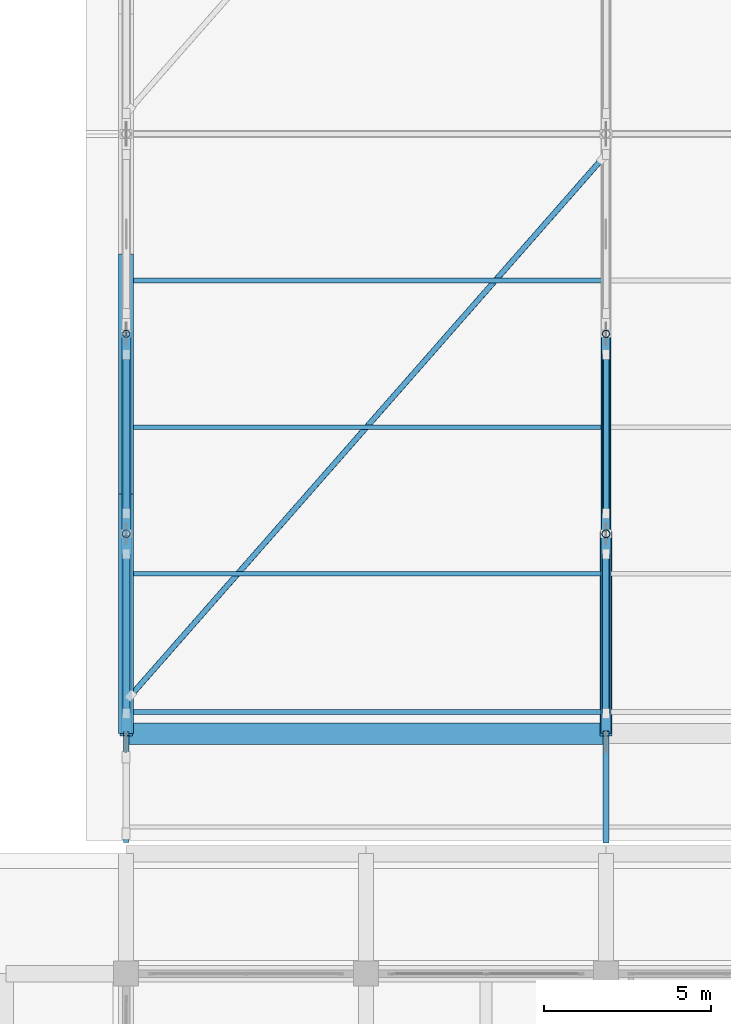
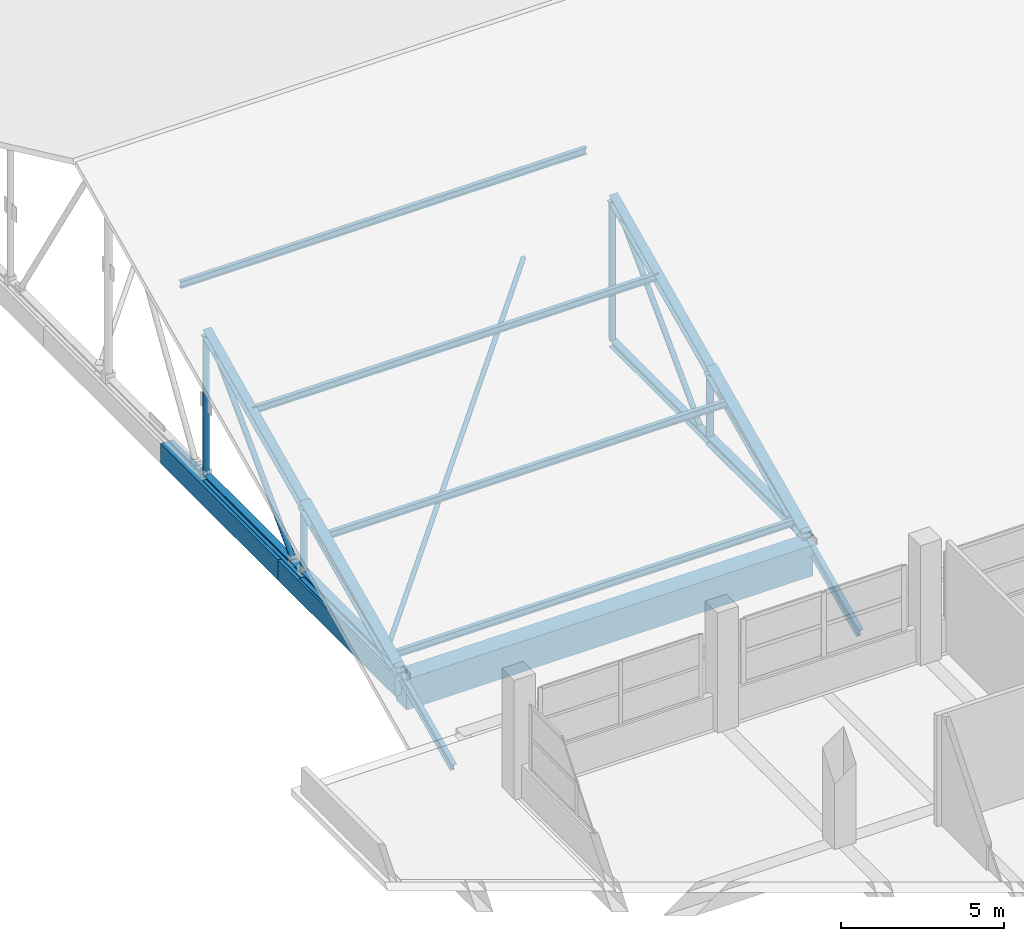
# One storey, part 63 of 141: 23 members, 3 beams, 2 elements without a shape of their own.
"""IFC4 building model written with IfcOpenShell, lengths in metres."""

from ifc_helpers import new_model, si_unit, direction, frame, origin, origin_2d, place, context, subcontext, project, spatial, rectangle, hollow_circle, i_section, extrude, material, material_profile, profile_set, type_object, element, aggregate, save


model = new_model("IFC4")

# Units and contexts
model_context = context("Model", 3, precision=1e-05, world=origin(), true_north=direction((0.0, 1.0)))
body_context = subcontext(model_context, "Body", "Model", "MODEL_VIEW")
ifc_project = project(units=[si_unit("LENGTHUNIT", "METRE"), si_unit("AREAUNIT", "SQUARE_METRE"), si_unit("VOLUMEUNIT", "CUBIC_METRE"), si_unit("PLANEANGLEUNIT", "RADIAN"), si_unit("MASSUNIT", "GRAM", prefix="KILO")], contexts=[model_context])

# Site, building, storey
site_placement = place(None, origin())
site = spatial("IfcSite", under=ifc_project, at=site_placement, CompositionType="ELEMENT")
building_placement = place(site_placement, origin())
building = spatial("IfcBuilding", under=site, at=building_placement, Name="Seraya Terrace Polytechnic", CompositionType="ELEMENT")
storey_placement = place(building_placement, frame((0.0, 0.0, 14.39990234375)))
storey = spatial("IfcBuildingStorey", under=building, at=storey_placement, Name="L03", CompositionType="ELEMENT", Elevation=14.39990234375)

# Assembly, member
ifc_material_1 = material(Name="Steel S355J2", Category="steel")
element_assembly_type = type_object("IfcElementAssemblyType", Name="TR-A1", PredefinedType="TRUSS", material=ifc_material_1)
assembly_1_placement = place(storey_placement, origin())
assembly_1 = element("IfcElementAssembly", 1, at=assembly_1_placement, inside=storey, type_object=element_assembly_type, Name="Pitched steel roof truss TR-01", AssemblyPlace="SITE", PredefinedType="TRUSS")
ifc_material_profile_1 = material_profile(ifc_material_1, i_section(OverallWidth=0.304931640625, OverallDepth=0.304931640625, WebThickness=0.014892578125, FlangeThickness=0.023681640625, at=origin_2d()), Name="UKC 305x305x14.9x23.8")
ifc_profile_set_1 = profile_set([ifc_material_profile_1], Name="Steel S355J2")
member_type_1 = type_object("IfcMemberType", Name="BC-01", PredefinedType="CHORD", material=ifc_profile_set_1)
member_1_placement = place(storey_placement, frame((14.39990234375, 79.199951171875, 0.150146484375), z_axis=(0.0, 1.0, 0.0), x_axis=(-1.0, 0.0, 0.0)))
member_1 = element("IfcMember", 2, at=member_1_placement, type_object=member_type_1, Name="TR-01 bottom chord 1", PredefinedType="CHORD", context=body_context, shape_type="SweptSolid", body=[
    extrude(i_section(OverallWidth=0.304931640625, OverallDepth=0.304931640625, WebThickness=0.014892578125, FlangeThickness=0.023681640625, at=origin_2d()), origin(), (0.0, 0.0, 1.0), 6.0),
])

assembly_2_placement = place(storey_placement, origin())
assembly_2 = element("IfcElementAssembly", 3, at=assembly_2_placement, inside=storey, type_object=element_assembly_type, Name="Pitched steel roof truss TR-02", AssemblyPlace="SITE", PredefinedType="TRUSS")
member_2_placement = place(storey_placement, frame((28.800048828125, 79.199951171875, 0.150146484375), z_axis=(0.0, 1.0, 0.0), x_axis=(-1.0, 0.0, 0.0)))
member_2 = element("IfcMember", 4, at=member_2_placement, type_object=member_type_1, Name="TR-02 bottom chord 1", PredefinedType="CHORD", context=body_context, shape_type="SweptSolid", body=[
    extrude(i_section(OverallWidth=0.304931640625, OverallDepth=0.304931640625, WebThickness=0.014892578125, FlangeThickness=0.023681640625, at=origin_2d()), origin(), (0.0, 0.0, 1.0), 6.0),
])

# Member
ifc_material_profile_2 = material_profile(ifc_material_1, i_section(OverallWidth=0.25390625, OverallDepth=0.25390625, WebThickness=0.0107421875, FlangeThickness=0.017333984375, at=origin_2d()), Name="UKC 254x254x10.7x17.3")
ifc_profile_set_2 = profile_set([ifc_material_profile_2], Name="Steel S355J2")
member_type_2 = type_object("IfcMemberType", Name="BC-02", PredefinedType="CHORD", material=ifc_profile_set_2)
member_3_placement = place(storey_placement, frame((14.39990234375, 85.199951171875, 0.150146484375), z_axis=(0.0, 1.0, 0.0), x_axis=(-1.0, 0.0, 0.0)))
member_3 = element("IfcMember", 5, at=member_3_placement, type_object=member_type_2, Name="TR-01 bottom chord 2", PredefinedType="CHORD", context=body_context, shape_type="SweptSolid", body=[
    extrude(i_section(OverallWidth=0.25390625, OverallDepth=0.25390625, WebThickness=0.0107421875, FlangeThickness=0.017333984375, at=origin_2d()), origin(), (0.0, 0.0, 1.0), 6.0),
])

member_4_placement = place(storey_placement, frame((28.800048828125, 85.199951171875, 0.150146484375), z_axis=(0.0, 1.0, 0.0), x_axis=(-1.0, 0.0, 0.0)))
member_4 = element("IfcMember", 6, at=member_4_placement, type_object=member_type_2, Name="TR-02 bottom chord 2", PredefinedType="CHORD", context=body_context, shape_type="SweptSolid", body=[
    extrude(i_section(OverallWidth=0.25390625, OverallDepth=0.25390625, WebThickness=0.0107421875, FlangeThickness=0.017333984375, at=origin_2d()), origin(), (0.0, 0.0, 1.0), 6.0),
])

# Beams
ifc_material_2 = material(Name="Concrete C40/50", Category="concrete")
ifc_material_profile_3 = material_profile(ifc_material_2, rectangle(XDim=0.64990234375, YDim=1.14990234375, at=origin_2d()), Name="RC 650x1150")
ifc_profile_set_3 = profile_set([ifc_material_profile_3], Name="Concrete C40/50")
beam_type_1 = type_object("IfcBeamType", Name="BG-02", PredefinedType="USERDEFINED", material=ifc_profile_set_3)
beam_1_placement = place(storey_placement, frame((14.39990234375, 79.199951171875, -0.574951171875), z_axis=(1.0, 0.0, 0.0), x_axis=(0.0, 1.0, 0.0)))
element("IfcBeam", 7, at=beam_1_placement, inside=storey, type_object=beam_type_1, Name="Beam BG-02 L03 X (14.4..28.8, 79.2)", ObjectType="GIRDER", PredefinedType="USERDEFINED", context=body_context, shape_type="SweptSolid", body=[
    extrude(rectangle(XDim=0.64990234375, YDim=1.14990234375, at=origin_2d()), origin(), (0.0, 0.0, 1.0), 14.400146484375),
])
ifc_material_profile_4 = material_profile(ifc_material_2, rectangle(XDim=0.449951171875, YDim=0.75, at=origin_2d()), Name="RC 450x750")
ifc_profile_set_4 = profile_set([ifc_material_profile_4], Name="Concrete C40/50")
beam_type_2 = type_object("IfcBeamType", Name="BM-08", PredefinedType="BEAM", material=ifc_profile_set_4)
beam_2_placement = place(storey_placement, frame((14.39990234375, 79.199951171875, -0.375), z_axis=(0.0, 1.0, 0.0), x_axis=(-1.0, 0.0, 0.0)))
element("IfcBeam", 8, at=beam_2_placement, inside=storey, type_object=beam_type_2, Name="Beam BM-08 L03 Y (14.4, 79.2..86.4)", PredefinedType="BEAM", context=body_context, shape_type="SweptSolid", body=[
    extrude(rectangle(XDim=0.449951171875, YDim=0.75, at=origin_2d()), origin(), (0.0, 0.0, 1.0), 7.199951171875),
])
beam_3_placement = place(storey_placement, frame((14.39990234375, 86.39990234375, -0.375), z_axis=(0.0, 1.0, 0.0), x_axis=(-1.0, 0.0, 0.0)))
element("IfcBeam", 9, at=beam_3_placement, inside=storey, type_object=beam_type_2, Name="Beam BM-08 L03 Y (14.4, 86.4..93.6)", PredefinedType="BEAM", context=body_context, shape_type="SweptSolid", body=[
    extrude(rectangle(XDim=0.449951171875, YDim=0.75, at=origin_2d()), origin(), (0.0, 0.0, 1.0), 7.2001953125),
])

# Member
ifc_material_profile_5 = material_profile(ifc_material_1, hollow_circle(Radius=0.109619140625, WallThickness=0.010009765625, at=origin_2d()), Name="CHS 219.1x10.0")
ifc_profile_set_5 = profile_set([ifc_material_profile_5], Name="Steel S355J2")
member_type_3 = type_object("IfcMemberType", Name="BR-01", PredefinedType="BRACE", material=ifc_profile_set_5)
member_5_placement = place(storey_placement, frame((14.39990234375, 79.820068359375, 0.316650390625), z_axis=(0.0, 0.921775035169, 0.387725140453), x_axis=(-1.0, 0.0, 0.0)))
member_5 = element("IfcMember", 10, at=member_5_placement, type_object=member_type_3, Name="TR-01 web diagonal 1", PredefinedType="BRACE", context=body_context, shape_type="SweptSolid", body=[
    extrude(hollow_circle(Radius=0.109619140625, WallThickness=0.010009765625, at=origin_2d()), origin(), (0.0, 0.0, 1.0), 5.1640625),
])

member_6_placement = place(storey_placement, frame((28.800048828125, 79.820068359375, 0.316650390625), z_axis=(0.0, 0.921775035169, 0.387725140453), x_axis=(-1.0, 0.0, 0.0)))
member_6 = element("IfcMember", 11, at=member_6_placement, type_object=member_type_3, Name="TR-02 web diagonal 1", PredefinedType="BRACE", context=body_context, shape_type="SweptSolid", body=[
    extrude(hollow_circle(Radius=0.109619140625, WallThickness=0.010009765625, at=origin_2d()), origin(), (0.0, 0.0, 1.0), 5.1640625),
])

ifc_material_profile_6 = material_profile(ifc_material_1, hollow_circle(Radius=0.096923828125, WallThickness=0.010009765625, at=origin_2d()), Name="CHS 193.7x10.0")
ifc_profile_set_6 = profile_set([ifc_material_profile_6], Name="Steel S355J2")
member_type_4 = type_object("IfcMemberType", Name="BR-02", PredefinedType="BRACE", material=ifc_profile_set_6)
member_7_placement = place(storey_placement, frame((14.39990234375, 85.820068359375, 0.291015625), z_axis=(0.0, 0.700213947338, 0.713933069659), x_axis=(-1.0, 0.0, 0.0)))
member_7 = element("IfcMember", 12, at=member_7_placement, type_object=member_type_4, Name="TR-01 web diagonal 2", PredefinedType="BRACE", context=body_context, shape_type="SweptSolid", body=[
    extrude(hollow_circle(Radius=0.096923828125, WallThickness=0.010009765625, at=origin_2d()), origin(), (0.0, 0.0, 1.0), 6.7978515625),
])

member_8_placement = place(storey_placement, frame((28.800048828125, 85.820068359375, 0.291015625), z_axis=(0.0, 0.700213947338, 0.713933069659), x_axis=(-1.0, 0.0, 0.0)))
member_8 = element("IfcMember", 13, at=member_8_placement, type_object=member_type_4, Name="TR-02 web diagonal 2", PredefinedType="BRACE", context=body_context, shape_type="SweptSolid", body=[
    extrude(hollow_circle(Radius=0.096923828125, WallThickness=0.010009765625, at=origin_2d()), origin(), (0.0, 0.0, 1.0), 6.7978515625),
])

# Members
ifc_material_profile_7 = material_profile(ifc_material_1, hollow_circle(Radius=0.084228515625, WallThickness=0.008056640625, at=origin_2d()), Name="CHS 168.3x8.0")
ifc_profile_set_7 = profile_set([ifc_material_profile_7], Name="Steel S355J2")
member_type_5 = type_object("IfcMemberType", Name="BR-03", PredefinedType="BRACE", material=ifc_profile_set_7)
member_9_placement = place(storey_placement, frame((14.5419921875, 80.35009765625, 0.150146484375), z_axis=(0.659891709876, 0.751360719785, 0.0), x_axis=(-0.751360719785, 0.659891709876, 0.0)))
element("IfcMember", 14, at=member_9_placement, inside=storey, type_object=member_type_5, Name="Roof plan brace bay 1 S1", PredefinedType="BRACE", context=body_context, shape_type="SweptSolid", body=[
    extrude(hollow_circle(Radius=0.084228515625, WallThickness=0.008056640625, at=origin_2d()), origin(), (0.0, 0.0, 1.0), 21.427490234375),
])
ifc_material_profile_8 = material_profile(ifc_material_1, i_section(OverallWidth=0.14599609375, OverallDepth=0.25390625, WebThickness=0.007080078125, FlangeThickness=0.01416015625, at=origin_2d()), Name="UKB 254x146x7.2x14.2")
ifc_profile_set_8 = profile_set([ifc_material_profile_8], Name="Steel S355J2")
member_type_6 = type_object("IfcMemberType", Name="PR-01", PredefinedType="PURLIN", material=ifc_profile_set_8)
for number, where, z_axis, x_axis, name in (
    (15, (14.39990234375, 79.85009765625, 0.33349609375), (1.0, 0.0, 0.0), (0.0, 1.0, 0.0), "Workshop roof purlin PR-01 bay 1.2"),
    (16, (14.39990234375, 84.0, 2.270263671875), (1.0, 0.0, 0.0), (0.0, 1.0, 0.0), "Workshop roof purlin PR-01 bay 1.3"),
    (17, (14.39990234375, 88.39990234375, 4.323486328125), (1.0, 0.0, 0.0), (0.0, 1.0, 0.0), "Workshop roof purlin PR-01 bay 1.4"),
    (18, (14.39990234375, 92.800048828125, 6.376953125), (1.0, 0.0, 0.0), (0.0, 1.0, 0.0), "Workshop roof purlin PR-01 bay 1.5"),
):
    element("IfcMember", number, at=place(storey_placement, frame(where, z_axis=z_axis, x_axis=x_axis)), inside=storey, type_object=member_type_6, Name=name, PredefinedType="PURLIN", context=body_context, shape_type="SweptSolid", body=[
        extrude(i_section(OverallWidth=0.14599609375, OverallDepth=0.25390625, WebThickness=0.007080078125, FlangeThickness=0.01416015625, at=origin_2d()), origin(), (0.0, 0.0, 1.0), 14.400146484375),
    ])

# Member
ifc_material_profile_9 = material_profile(ifc_material_1, i_section(OverallWidth=0.1708984375, OverallDepth=0.35595703125, WebThickness=0.009033203125, FlangeThickness=0.015625, at=origin_2d()), Name="UKB 356x171x9.1x15.7")
ifc_profile_set_9 = profile_set([ifc_material_profile_9], Name="Steel S355J2")
member_type_7 = type_object("IfcMemberType", Name="RF-01", PredefinedType="RAFTER", material=ifc_profile_set_9)
member_10_placement = place(storey_placement, frame((28.800048828125, 79.199951171875, -0.052001953125), z_axis=(0.0, -0.906199036176, -0.422851400416), x_axis=(1.0, 0.0, 0.0)))
member_10 = element("IfcMember", 19, at=member_10_placement, type_object=member_type_7, Name="TR-02 South monsoon eave rafter", PredefinedType="RAFTER", context=body_context, shape_type="SweptSolid", body=[
    extrude(i_section(OverallWidth=0.1708984375, OverallDepth=0.35595703125, WebThickness=0.009033203125, FlangeThickness=0.015625, at=origin_2d()), origin(), (0.0, 0.0, 1.0), 3.53125),
])

ifc_material_profile_10 = material_profile(ifc_material_1, i_section(OverallWidth=0.1650390625, OverallDepth=0.304931640625, WebThickness=0.0087890625, FlangeThickness=0.0166015625, at=origin_2d()), Name="UKB 305x165x8.9x16.7")
ifc_profile_set_10 = profile_set([ifc_material_profile_10], Name="Steel S355J2")
member_type_8 = type_object("IfcMemberType", Name="RF-02", PredefinedType="RAFTER", material=ifc_profile_set_10)
member_11_placement = place(storey_placement, frame((14.39990234375, 79.199951171875, -0.052001953125), z_axis=(0.0, -0.906199036176, -0.422851400416), x_axis=(1.0, 0.0, 0.0)))
member_11 = element("IfcMember", 20, at=member_11_placement, type_object=member_type_8, Name="TR-01 South monsoon eave rafter", PredefinedType="RAFTER", context=body_context, shape_type="SweptSolid", body=[
    extrude(i_section(OverallWidth=0.1650390625, OverallDepth=0.304931640625, WebThickness=0.0087890625, FlangeThickness=0.0166015625, at=origin_2d()), origin(), (0.0, 0.0, 1.0), 3.53125),
])

ifc_material_profile_11 = material_profile(ifc_material_1, hollow_circle(Radius=0.122314453125, WallThickness=0.012451171875, at=origin_2d()), Name="CHS 244.5x12.5")
ifc_profile_set_11 = profile_set([ifc_material_profile_11], Name="Steel S355J2")
member_type_9 = type_object("IfcMemberType", Name="ST-M2", PredefinedType="STRUT", material=ifc_profile_set_11)
member_12_placement = place(storey_placement, frame((14.39990234375, 85.199951171875, 0.306640625), z_axis=(0.0, 0.0, 1.0), x_axis=(1.0, 0.0, 0.0)))
member_12 = element("IfcMember", 21, at=member_12_placement, type_object=member_type_9, Name="TR-01 vertical strut 2", PredefinedType="STRUT", context=body_context, shape_type="SweptSolid", body=[
    extrude(hollow_circle(Radius=0.122314453125, WallThickness=0.012451171875, at=origin_2d()), origin(), (0.0, 0.0, 1.0), 2.3115234375),
])

member_13_placement = place(storey_placement, frame((28.800048828125, 85.199951171875, 0.306640625), z_axis=(0.0, 0.0, 1.0), x_axis=(1.0, 0.0, 0.0)))
member_13 = element("IfcMember", 22, at=member_13_placement, type_object=member_type_9, Name="TR-02 vertical strut 2", PredefinedType="STRUT", context=body_context, shape_type="SweptSolid", body=[
    extrude(hollow_circle(Radius=0.122314453125, WallThickness=0.012451171875, at=origin_2d()), origin(), (0.0, 0.0, 1.0), 2.3115234375),
])

ifc_material_profile_12 = material_profile(ifc_material_1, hollow_circle(Radius=0.109619140625, WallThickness=0.010009765625, at=origin_2d()), Name="CHS 219.1x10.0")
ifc_profile_set_12 = profile_set([ifc_material_profile_12], Name="Steel S355J2")
member_type_10 = type_object("IfcMemberType", Name="ST-M3", PredefinedType="STRUT", material=ifc_profile_set_12)
member_14_placement = place(storey_placement, frame((14.39990234375, 91.199951171875, 0.281005859375), z_axis=(0.0, 0.0, 1.0), x_axis=(1.0, 0.0, 0.0)))
member_14 = element("IfcMember", 23, at=member_14_placement, type_object=member_type_10, Name="TR-01 vertical strut 3", PredefinedType="STRUT", context=body_context, shape_type="SweptSolid", body=[
    extrude(hollow_circle(Radius=0.109619140625, WallThickness=0.010009765625, at=origin_2d()), origin(), (0.0, 0.0, 1.0), 5.16259765625),
])

member_15_placement = place(storey_placement, frame((28.800048828125, 91.199951171875, 0.281005859375), z_axis=(0.0, 0.0, 1.0), x_axis=(1.0, 0.0, 0.0)))
member_15 = element("IfcMember", 24, at=member_15_placement, type_object=member_type_10, Name="TR-02 vertical strut 3", PredefinedType="STRUT", context=body_context, shape_type="SweptSolid", body=[
    extrude(hollow_circle(Radius=0.109619140625, WallThickness=0.010009765625, at=origin_2d()), origin(), (0.0, 0.0, 1.0), 5.16259765625),
])

ifc_material_profile_13 = material_profile(ifc_material_1, i_section(OverallWidth=0.367919921875, OverallDepth=0.35595703125, WebThickness=0.014892578125, FlangeThickness=0.0244140625, at=origin_2d()), Name="UKC 356x368x15.0x24.4")
ifc_profile_set_13 = profile_set([ifc_material_profile_13], Name="Steel S355J2")
member_type_11 = type_object("IfcMemberType", Name="TC-01", PredefinedType="CHORD", material=ifc_profile_set_13)
member_16_placement = place(storey_placement, frame((14.39990234375, 79.199951171875, 0.0), z_axis=(0.0, 0.906180313975, 0.422891521036), x_axis=(-1.0, 0.0, 0.0)))
member_16 = element("IfcMember", 25, at=member_16_placement, type_object=member_type_11, Name="TR-01 top chord 1", PredefinedType="CHORD", context=body_context, shape_type="SweptSolid", body=[
    extrude(i_section(OverallWidth=0.367919921875, OverallDepth=0.35595703125, WebThickness=0.014892578125, FlangeThickness=0.0244140625, at=origin_2d()), origin(), (0.0, 0.0, 1.0), 6.62109375),
])

member_17_placement = place(storey_placement, frame((28.800048828125, 79.199951171875, 0.0), z_axis=(0.0, 0.906180313975, 0.422891521036), x_axis=(-1.0, 0.0, 0.0)))
member_17 = element("IfcMember", 26, at=member_17_placement, type_object=member_type_11, Name="TR-02 top chord 1", PredefinedType="CHORD", context=body_context, shape_type="SweptSolid", body=[
    extrude(i_section(OverallWidth=0.367919921875, OverallDepth=0.35595703125, WebThickness=0.014892578125, FlangeThickness=0.0244140625, at=origin_2d()), origin(), (0.0, 0.0, 1.0), 6.62109375),
])

ifc_material_profile_14 = material_profile(ifc_material_1, i_section(OverallWidth=0.304931640625, OverallDepth=0.304931640625, WebThickness=0.011962890625, FlangeThickness=0.019775390625, at=origin_2d()), Name="UKC 305x305x12.0x19.7")
ifc_profile_set_14 = profile_set([ifc_material_profile_14], Name="Steel S355J2")
member_type_12 = type_object("IfcMemberType", Name="TC-02", PredefinedType="CHORD", material=ifc_profile_set_14)
member_18_placement = place(storey_placement, frame((14.39990234375, 85.199951171875, 2.800048828125), z_axis=(0.0, 0.906180313975, 0.422891521036), x_axis=(-1.0, 0.0, 0.0)))
member_18 = element("IfcMember", 27, at=member_18_placement, type_object=member_type_12, Name="TR-01 top chord 2", PredefinedType="CHORD", context=body_context, shape_type="SweptSolid", body=[
    extrude(i_section(OverallWidth=0.304931640625, OverallDepth=0.304931640625, WebThickness=0.011962890625, FlangeThickness=0.019775390625, at=origin_2d()), origin(), (0.0, 0.0, 1.0), 6.62109375),
])

aggregate(assembly_1, [member_1, member_16, member_3, member_18, member_12, member_14, member_5, member_7, member_11])

member_19_placement = place(storey_placement, frame((28.800048828125, 85.199951171875, 2.800048828125), z_axis=(0.0, 0.906180313975, 0.422891521036), x_axis=(-1.0, 0.0, 0.0)))
member_19 = element("IfcMember", 28, at=member_19_placement, type_object=member_type_12, Name="TR-02 top chord 2", PredefinedType="CHORD", context=body_context, shape_type="SweptSolid", body=[
    extrude(i_section(OverallWidth=0.304931640625, OverallDepth=0.304931640625, WebThickness=0.011962890625, FlangeThickness=0.019775390625, at=origin_2d()), origin(), (0.0, 0.0, 1.0), 6.62109375),
])

aggregate(assembly_2, [member_2, member_17, member_4, member_19, member_13, member_15, member_6, member_8, member_10])

save(model, "model.ifc")
